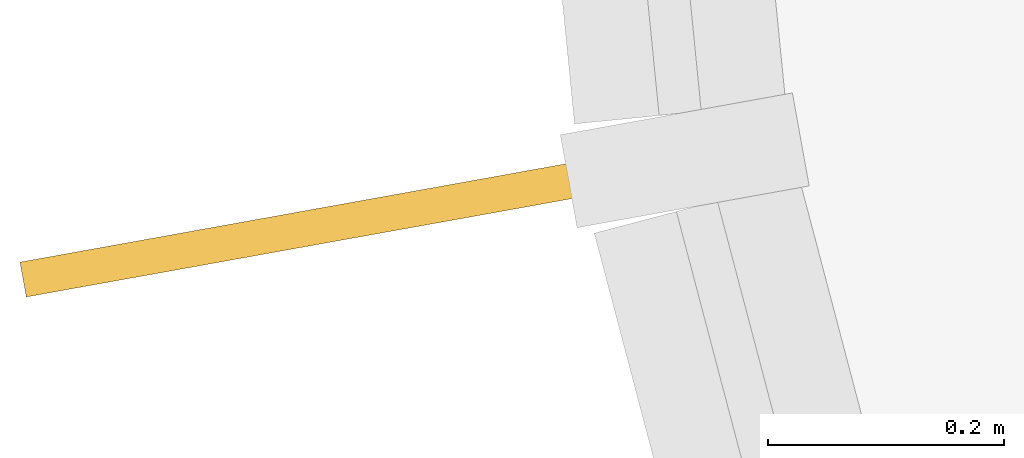
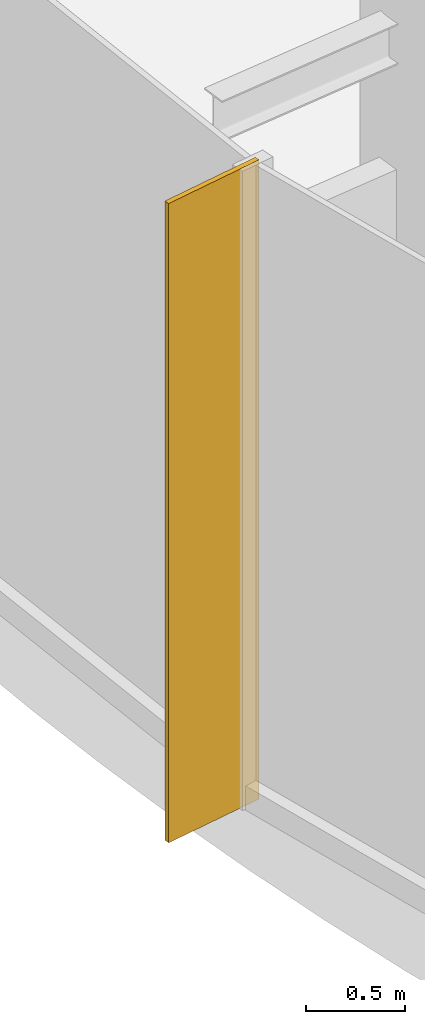
# One storey, part 15 of 17: 1 shading device.
"""IFC4 building model written with IfcOpenShell, lengths in metres."""

from ifc_helpers import new_model, si_unit, direction, frame, origin, origin_2d, place, context, subcontext, project, spatial, rectangle, extrude, source, transform, mapped, material, material_profile, profile_set, type_object, element, save


model = new_model("IFC4")

# Units and contexts
model_context = context("Model", 3, precision=1e-05, world=origin(), true_north=direction((0.0, 1.0)))
body_context = subcontext(model_context, "Body", "Model", "MODEL_VIEW")
ifc_project = project(units=[si_unit("LENGTHUNIT", "METRE"), si_unit("AREAUNIT", "SQUARE_METRE"), si_unit("VOLUMEUNIT", "CUBIC_METRE"), si_unit("PLANEANGLEUNIT", "RADIAN"), si_unit("MASSUNIT", "GRAM", prefix="KILO")], contexts=[model_context])

# Site, building, storey
site_placement = place(None, origin())
site = spatial("IfcSite", under=ifc_project, at=site_placement, CompositionType="ELEMENT")
building_placement = place(site_placement, origin())
building = spatial("IfcBuilding", under=site, at=building_placement, Name="Spindrift Exchange Tower", CompositionType="ELEMENT")
storey_placement = place(building_placement, frame((0.0, 0.0, 35.800048828125)))
storey = spatial("IfcBuildingStorey", under=building, at=storey_placement, Name="L08", CompositionType="ELEMENT", Elevation=35.800048828125)

# Shading device
ifc_material = material(Name="Bronze anodised aluminium", Category="aluminium")
ifc_material_profile = material_profile(ifc_material, rectangle(XDim=0.030029296875, YDim=0.60009765625, at=origin_2d()), Name="WIND FIN 30X600")
ifc_profile_set = profile_set([ifc_material_profile], Name="Bronze anodised aluminium")
shading_device_type = type_object("IfcShadingDeviceType", Name="WIND FIN 30X600", PredefinedType="USERDEFINED", material=ifc_profile_set)
shared_shape = source(origin(), body_context, "Body", "SweptSolid", [
    extrude(rectangle(XDim=0.030029296875, YDim=0.60009765625, at=origin_2d()), origin(), (0.0, 0.0, 1.0), 3.949951171875),
])
shading_device_placement = place(storey_placement, frame((13.822265625, 42.3720703125, 0.0), z_axis=(0.0, 0.0, 1.0), x_axis=(0.177316631029, -0.984153856041, 0.0)))
element("IfcShadingDevice", 1, at=shading_device_placement, inside=storey, type_object=shading_device_type, Name="L08 wind fin 1", ObjectType="FIN", PredefinedType="USERDEFINED", context=body_context, shape_type="MappedRepresentation", body=[
    mapped(shared_shape, transform((0.0, 0.0, 0.0), scale=1.0)),
])

save(model, "model.ifc")
